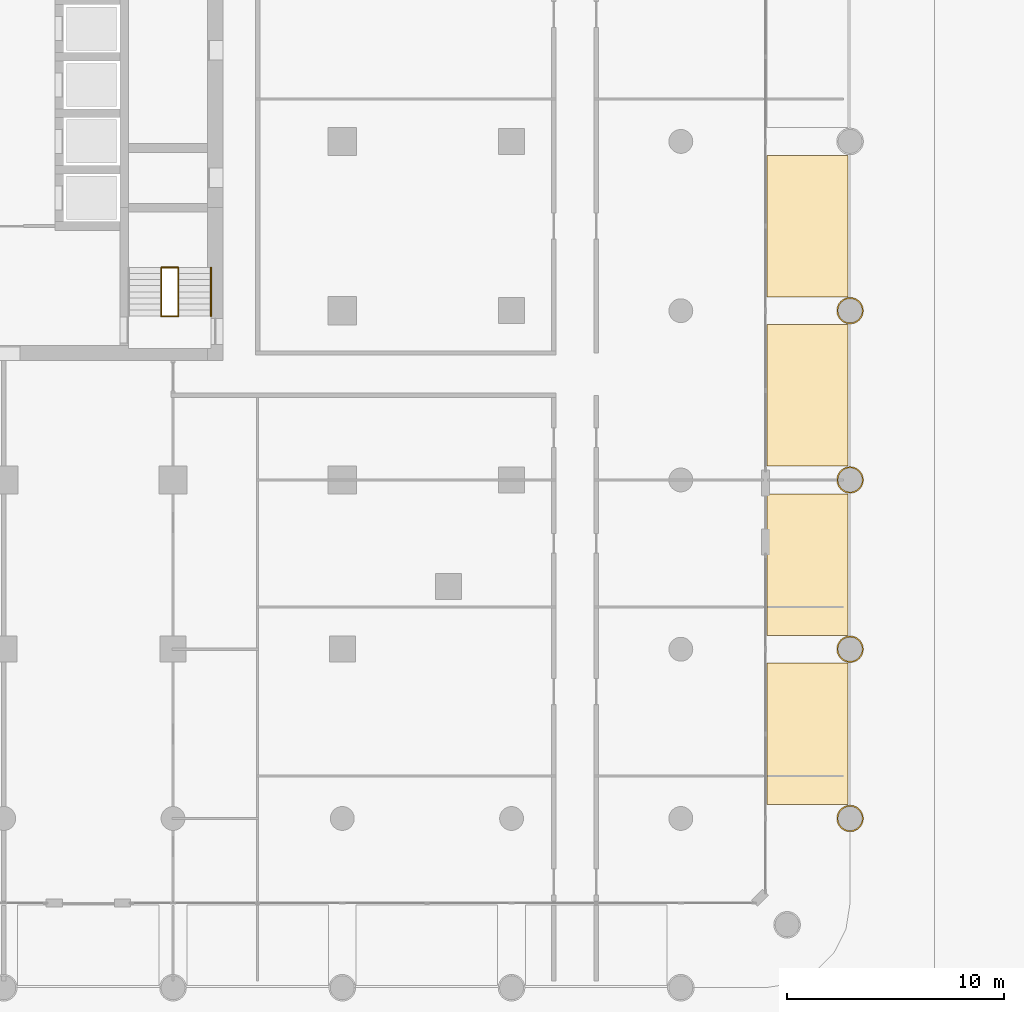
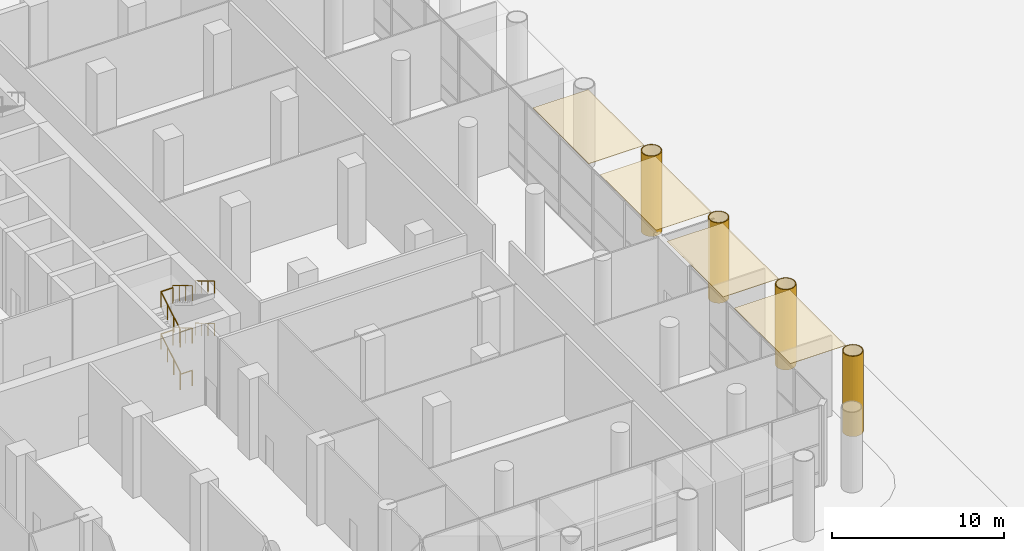
# One storey, part 27 of 32: 10 railings, 8 coverings, 1 element without a shape of its own.
"""IFC4 building model written with IfcOpenShell, lengths in metres."""

import ifcopenshell
import ifcopenshell.guid

model = None  # the IFC model being written
_history = None  # IfcOwnerHistory: only IFC2X3 demands one
_inside = {}  # id of a spatial element -> (the spatial element, [elements in it])
_under = {}  # id of a project, library or spatial element -> (it, [spatial elements below it])
_declared = {}  # id of a project -> (the project, [libraries it declares])
_typed = {}  # id of a type object -> (the type object, [elements of that type])
_made_of = {}  # id of a material, layer set ... -> (it, [elements and type objects made of it])


def new_model(schema):
    """Start an empty IFC model of exactly this schema.

    Asked for "IFC4X3", IfcOpenShell would pick the latest addendum, in which some entities
    have other attributes; the version numbers below select the first issue.
    IFC2X3 requires an IfcOwnerHistory on every rooted entity: one is made here for all.
    """
    global model, _history
    if schema == "IFC4X3":
        model = ifcopenshell.file(schema_version=(4, 3, 0, 0))
    else:
        model = ifcopenshell.file(schema=schema)
    _inside.clear()
    _under.clear()
    _declared.clear()
    _typed.clear()
    _made_of.clear()
    _history = None
    if model.schema == "IFC2X3":
        org = make("IfcOrganization", Name="unknown")
        user = make(
            "IfcPersonAndOrganization",
            ThePerson=make("IfcPerson", FamilyName="unknown"),
            TheOrganization=org,
        )
        app = make(
            "IfcApplication",
            ApplicationDeveloper=org,
            Version="unknown",
            ApplicationFullName="unknown",
            ApplicationIdentifier="unknown",
        )
        _history = make(
            "IfcOwnerHistory",
            OwningUser=user,
            OwningApplication=app,
            ChangeAction="ADDED",
            CreationDate=0,
        )
    return model


def make(cls, **values):
    """One entity of the class cls with the attributes given. An attribute that is None is left unset."""
    return model.create_entity(
        cls, **{name: value for name, value in values.items() if value is not None}
    )


def rooted(cls, **values):
    """An entity with a GlobalId (a new one), such as an element, a storey or a relation."""
    return make(cls, GlobalId=ifcopenshell.guid.new(), OwnerHistory=_history, **values)


def si_unit(unit_type, name, prefix=None):
    """IfcSIUnit, for example si_unit("LENGTHUNIT", "METRE", prefix="MILLI")."""
    return make("IfcSIUnit", UnitType=unit_type, Prefix=prefix, Name=name)


def assignment(units):
    """IfcUnitAssignment: the units of a project."""
    return None if units is None else make("IfcUnitAssignment", Units=units)


def point(xyz):
    """IfcCartesianPoint."""
    return None if xyz is None else make("IfcCartesianPoint", Coordinates=xyz)


def direction(xyz):
    """IfcDirection."""
    return None if xyz is None else make("IfcDirection", DirectionRatios=xyz)


def frame(location, z_axis=None, x_axis=None):
    """IfcAxis2Placement3D, a coordinate frame: its origin and axes. An axis left out is left unset."""
    return make(
        "IfcAxis2Placement3D",
        Location=point(location),
        Axis=direction(z_axis),
        RefDirection=direction(x_axis),
    )


def frame_2d(location, x_axis=None):
    """IfcAxis2Placement2D, a coordinate frame in the plane: its origin and x axis."""
    return make(
        "IfcAxis2Placement2D", Location=point(location), RefDirection=direction(x_axis)
    )


def origin():
    """The frame at (0, 0, 0) with its axes left unset."""
    return frame((0.0, 0.0, 0.0))


def origin_2d():
    """The frame at (0, 0) in the plane with its x axis left unset."""
    return frame_2d((0.0, 0.0))


def place(relative_to, where):
    """IfcLocalPlacement: puts the frame where relative to a parent placement (None: the world)."""
    return make(
        "IfcLocalPlacement", PlacementRelTo=relative_to, RelativePlacement=where
    )


def context(
    kind, dimensions, precision=None, world=None, true_north=None, identifier=None
):
    """IfcGeometricRepresentationContext, for example the 3D "Model" context."""
    return make(
        "IfcGeometricRepresentationContext",
        ContextIdentifier=identifier,
        ContextType=kind,
        CoordinateSpaceDimension=dimensions,
        Precision=precision,
        WorldCoordinateSystem=world,
        TrueNorth=true_north,
    )


def subcontext(parent, identifier, kind, view, scale=None):
    """IfcGeometricRepresentationSubContext, for example "Body" below "Model"."""
    return make(
        "IfcGeometricRepresentationSubContext",
        ContextIdentifier=identifier,
        ContextType=kind,
        ParentContext=parent,
        TargetScale=scale,
        TargetView=view,
    )


def project(units=None, contexts=None):
    """IfcProject with its units and contexts."""
    return rooted(
        "IfcProject",
        Name="project",
        RepresentationContexts=contexts,
        UnitsInContext=assignment(units),
    )


def spatial(cls, under=None, at=None, **own):
    """A site, building, storey or space (cls), placed at a placement, below another one or the project."""
    s = rooted(cls, ObjectPlacement=at, **own)
    if under is not None:
        _under.setdefault(under.id(), (under, []))[1].append(s)
    return s


def polyline(points):
    """IfcPolyline through the points."""
    return make("IfcPolyline", Points=[point(p) for p in points])


def profile(cls, at=None, kind="AREA", **sizes):
    """A parametric profile (cls). Its sizes go by their IFC names, for example OverallWidth=200.0."""
    return make(cls, ProfileType=kind, Position=at, **sizes)


def rectangle(**sizes):
    """IfcRectangleProfileDef."""
    return profile("IfcRectangleProfileDef", **sizes)


def circle(**sizes):
    """IfcCircleProfileDef."""
    return profile("IfcCircleProfileDef", **sizes)


def outline(outer, holes=None, kind="AREA"):
    """IfcArbitraryClosedProfileDef: a profile drawn as a closed curve; with holes, ...WithVoids."""
    if holes is None:
        return make("IfcArbitraryClosedProfileDef", ProfileType=kind, OuterCurve=outer)
    return make(
        "IfcArbitraryProfileDefWithVoids",
        ProfileType=kind,
        OuterCurve=outer,
        InnerCurves=holes,
    )


def extrude(swept, where, along, depth):
    """IfcExtrudedAreaSolid: the profile swept, set in the frame where, extruded along a direction by depth."""
    return make(
        "IfcExtrudedAreaSolid",
        SweptArea=swept,
        Position=where,
        ExtrudedDirection=direction(along),
        Depth=depth,
    )


def shape(context_of_items, identifier, shape_type, items):
    """IfcShapeRepresentation: the items that make up one representation, for example the "Body"."""
    return make(
        "IfcShapeRepresentation",
        ContextOfItems=context_of_items,
        RepresentationIdentifier=identifier,
        RepresentationType=shape_type,
        Items=items,
    )


def material(Name=None, Category=None):
    """IfcMaterial."""
    return make("IfcMaterial", Name=Name, Category=Category)


def layer(
    of_material, thickness, ventilated=None, Name=None, Category=None, Priority=None
):
    """IfcMaterialLayer: one layer of a wall or slab, of a material (None: an air gap)."""
    return make(
        "IfcMaterialLayer",
        Material=of_material,
        LayerThickness=thickness,
        IsVentilated=ventilated,
        Name=Name,
        Category=Category,
        Priority=Priority,
    )


def layer_set(layers, Name=None):
    """IfcMaterialLayerSet."""
    return make("IfcMaterialLayerSet", MaterialLayers=layers, LayerSetName=Name)


def made_of(thing, what):
    """Note that an element or type object is made of a material, layer set ...; save() writes the relation."""
    if what is not None:
        _made_of.setdefault(what.id(), (what, []))[1].append(thing)
    return thing


def type_object(cls, material=None, **own):
    """A type object (cls), such as IfcWallType, which elements share."""
    return made_of(rooted(cls, **own), material)


def element(
    cls,
    number,
    at=None,
    inside=None,
    cuts=None,
    type_object=None,
    material=None,
    context=None,
    identifier="Body",
    shape_type=None,
    held_by="IfcProductDefinitionShape",
    body=None,
    shapes=None,
    **own,
):
    """One element of the class cls, such as IfcWall. Its Tag is "e" and its number.

    at: its placement. inside: the storey or other place that contains it. cuts: it is an
    opening in that element (IfcRelVoidsElement). A single representation is given by context,
    identifier, shape_type and body (its items); several are given by shapes. held_by: the class
    of the entity that holds the representations. save() writes the other relations.
    """
    e = rooted(cls, Tag="e%d" % number, ObjectPlacement=at, **own)
    if body is not None:
        shapes = [shape(context, identifier, shape_type, body)]
    if shapes is not None:
        e.Representation = make(held_by, Representations=shapes)
    if inside is not None:
        _inside.setdefault(inside.id(), (inside, []))[1].append(e)
    if cuts is not None:
        rooted(
            "IfcRelVoidsElement", RelatingBuildingElement=cuts, RelatedOpeningElement=e
        )
    if type_object is not None:
        _typed.setdefault(type_object.id(), (type_object, []))[1].append(e)
    return made_of(e, material)


def aggregate(whole, parts):
    """IfcRelAggregates: a whole, such as a stair, and the parts it consists of."""
    return rooted("IfcRelAggregates", RelatingObject=whole, RelatedObjects=parts)


def save(model, path):
    """Write the relations noted so far, then the file.

    IfcRelAggregates (storeys below a building ...), IfcRelContainedInSpatialStructure (elements
    in a storey), IfcRelDefinesByType, IfcRelAssociatesMaterial and IfcRelDeclares: one each for
    every whole, place, type object, material and project.
    """
    for whole, parts in _under.values():
        aggregate(whole, parts)
    for where, things in _inside.values():
        rooted(
            "IfcRelContainedInSpatialStructure",
            RelatedElements=things,
            RelatingStructure=where,
        )
    for kind, things in _typed.values():
        rooted("IfcRelDefinesByType", RelatedObjects=things, RelatingType=kind)
    for what, things in _made_of.values():
        rooted("IfcRelAssociatesMaterial", RelatedObjects=things, RelatingMaterial=what)
    for by, libraries in _declared.values():
        rooted("IfcRelDeclares", RelatingContext=by, RelatedDefinitions=libraries)
    model.write(path)


model = new_model("IFC4")

# Units and contexts
model_context = context("Model", 3, precision=1e-05, world=origin(), true_north=direction((0.0, 1.0)))
body_context = subcontext(model_context, "Body", "Model", "MODEL_VIEW")
ifc_project = project(units=[si_unit("LENGTHUNIT", "METRE"), si_unit("AREAUNIT", "SQUARE_METRE"), si_unit("VOLUMEUNIT", "CUBIC_METRE"), si_unit("PLANEANGLEUNIT", "RADIAN"), si_unit("MASSUNIT", "GRAM", prefix="KILO")], contexts=[model_context])

# Site, building, storey
site_placement = place(None, origin())
site = spatial("IfcSite", under=ifc_project, at=site_placement, CompositionType="ELEMENT")
building_placement = place(site_placement, origin())
building = spatial("IfcBuilding", under=site, at=building_placement, Name="Ludao Terraces", CompositionType="ELEMENT")
storey_placement = place(building_placement, origin())
storey = spatial("IfcBuildingStorey", under=building, at=storey_placement, Name="L00", CompositionType="ELEMENT", Elevation=0.0)

# Coverings
ifc_material_1 = material(Name="Stone-effect cement board ceiling lining", Category="masonry")
ifc_layer_1 = layer(ifc_material_1, 0.030029296875)
ifc_layer_set_1 = layer_set([ifc_layer_1], Name="ENV Arcade ceiling lining 30")
covering_type_1 = type_object("IfcCoveringType", Name="ENV Arcade ceiling lining 30", PredefinedType="CEILING", material=ifc_layer_set_1)
for number, where, z_axis, x_axis, name in (
    (1, (122.0400390625, 37.699951171875, 5.669921875), (0.0, 0.0, 1.0), (1.0, 0.0, 0.0), "CL-L00-E1"),
    (2, (122.0400390625, 45.5, 5.669921875), (0.0, 0.0, 1.0), (1.0, 0.0, 0.0), "CL-L00-E2"),
    (3, (122.0400390625, 53.300048828125, 5.669921875), (0.0, 0.0, 1.0), (1.0, 0.0, 0.0), "CL-L00-E3"),
    (4, (122.0400390625, 61.10009765625, 5.669921875), (0.0, 0.0, 1.0), (1.0, 0.0, 0.0), "CL-L00-E4"),
):
    element("IfcCovering", number, at=place(storey_placement, frame(where, z_axis=z_axis, x_axis=x_axis)), inside=storey, type_object=covering_type_1, Name=name, PredefinedType="CEILING", context=body_context, shape_type="SweptSolid", body=[
        extrude(rectangle(XDim=3.719970703125, YDim=6.52001953125, at=origin_2d()), origin(), (0.0, 0.0, 1.0), 0.030029296875),
    ])
ifc_material_2 = material(Name="Granite cladding", Category="masonry")
ifc_layer_2 = layer(ifc_material_2, 0.06005859375)
ifc_layer_set_2 = layer_set([ifc_layer_2], Name="ENV Stone column casing 60")
covering_type_2 = type_object("IfcCoveringType", Name="ENV Stone column casing 60", PredefinedType="CLADDING", material=ifc_layer_set_2)
covering_1_placement = place(storey_placement, origin())
element("IfcCovering", 5, at=covering_1_placement, inside=storey, type_object=covering_type_2, Name="CC-L00-G0624x-078", PredefinedType="CLADDING", context=body_context, shape_type="SweptSolid", body=[
    extrude(outline(polyline([(124.61474609375, 33.800048828125), (124.59375, 33.959228515625), (124.532470703125, 34.107421875), (124.4345703125, 34.234619140625), (124.307373046875, 34.332275390625), (124.1591796875, 34.393798828125), (124.0, 34.414794921875), (123.8408203125, 34.393798828125), (123.692626953125, 34.332275390625), (123.5654296875, 34.234619140625), (123.467529296875, 34.107421875), (123.40625, 33.959228515625), (123.38525390625, 33.800048828125), (123.40625, 33.640869140625), (123.467529296875, 33.49267578125), (123.5654296875, 33.365234375), (123.692626953125, 33.267578125), (123.8408203125, 33.206298828125), (124.0, 33.185302734375), (124.1591796875, 33.206298828125), (124.307373046875, 33.267578125), (124.4345703125, 33.365234375), (124.532470703125, 33.49267578125), (124.59375, 33.640869140625), (124.61474609375, 33.800048828125)]), holes=[polyline([(124.535888671875, 33.656494140625), (124.48046875, 33.522705078125), (124.392333984375, 33.40771484375), (124.27734375, 33.319580078125), (124.1435546875, 33.26416015625), (124.0, 33.245361328125), (123.8564453125, 33.26416015625), (123.72265625, 33.319580078125), (123.607666015625, 33.40771484375), (123.51953125, 33.522705078125), (123.464111328125, 33.656494140625), (123.4453125, 33.800048828125), (123.464111328125, 33.943603515625), (123.51953125, 34.077392578125), (123.607666015625, 34.1923828125), (123.72265625, 34.280517578125), (123.8564453125, 34.3359375), (124.0, 34.354736328125), (124.1435546875, 34.3359375), (124.27734375, 34.280517578125), (124.392333984375, 34.1923828125), (124.48046875, 34.077392578125), (124.535888671875, 33.943603515625), (124.5546875, 33.800048828125), (124.535888671875, 33.656494140625)])]), origin(), (0.0, 0.0, 1.0), 5.699951171875),
])
covering_2_placement = place(storey_placement, origin())
element("IfcCovering", 6, at=covering_2_placement, inside=storey, type_object=covering_type_2, Name="CC-L00-G0624x0000", PredefinedType="CLADDING", context=body_context, shape_type="SweptSolid", body=[
    extrude(outline(polyline([(124.61474609375, 41.60009765625), (124.59375, 41.759033203125), (124.532470703125, 41.907470703125), (124.4345703125, 42.03466796875), (124.307373046875, 42.13232421875), (124.1591796875, 42.19384765625), (124.0, 42.21484375), (123.8408203125, 42.19384765625), (123.692626953125, 42.13232421875), (123.5654296875, 42.03466796875), (123.467529296875, 41.907470703125), (123.40625, 41.759033203125), (123.38525390625, 41.60009765625), (123.40625, 41.44091796875), (123.467529296875, 41.292724609375), (123.5654296875, 41.165283203125), (123.692626953125, 41.067626953125), (123.8408203125, 41.006103515625), (124.0, 40.9853515625), (124.1591796875, 41.006103515625), (124.307373046875, 41.067626953125), (124.4345703125, 41.165283203125), (124.532470703125, 41.292724609375), (124.59375, 41.44091796875), (124.61474609375, 41.60009765625)]), holes=[polyline([(124.535888671875, 41.45654296875), (124.48046875, 41.322509765625), (124.392333984375, 41.207763671875), (124.27734375, 41.11962890625), (124.1435546875, 41.064208984375), (124.0, 41.045166015625), (123.8564453125, 41.064208984375), (123.72265625, 41.11962890625), (123.607666015625, 41.207763671875), (123.51953125, 41.322509765625), (123.464111328125, 41.45654296875), (123.4453125, 41.60009765625), (123.464111328125, 41.74365234375), (123.51953125, 41.87744140625), (123.607666015625, 41.9921875), (123.72265625, 42.080322265625), (123.8564453125, 42.1357421875), (124.0, 42.15478515625), (124.1435546875, 42.1357421875), (124.27734375, 42.080322265625), (124.392333984375, 41.9921875), (124.48046875, 41.87744140625), (124.535888671875, 41.74365234375), (124.5546875, 41.60009765625), (124.535888671875, 41.45654296875)])]), origin(), (0.0, 0.0, 1.0), 5.699951171875),
])
covering_3_placement = place(storey_placement, origin())
element("IfcCovering", 7, at=covering_3_placement, inside=storey, type_object=covering_type_2, Name="CC-L00-G0624x0078", PredefinedType="CLADDING", context=body_context, shape_type="SweptSolid", body=[
    extrude(outline(polyline([(124.61474609375, 49.39990234375), (124.59375, 49.55908203125), (124.532470703125, 49.707275390625), (124.4345703125, 49.834716796875), (124.307373046875, 49.932373046875), (124.1591796875, 49.993896484375), (124.0, 50.0146484375), (123.8408203125, 49.993896484375), (123.692626953125, 49.932373046875), (123.5654296875, 49.834716796875), (123.467529296875, 49.707275390625), (123.40625, 49.55908203125), (123.38525390625, 49.39990234375), (123.40625, 49.240966796875), (123.467529296875, 49.092529296875), (123.5654296875, 48.96533203125), (123.692626953125, 48.86767578125), (123.8408203125, 48.80615234375), (124.0, 48.78515625), (124.1591796875, 48.80615234375), (124.307373046875, 48.86767578125), (124.4345703125, 48.96533203125), (124.532470703125, 49.092529296875), (124.59375, 49.240966796875), (124.61474609375, 49.39990234375)]), holes=[polyline([(124.535888671875, 49.25634765625), (124.48046875, 49.12255859375), (124.392333984375, 49.0078125), (124.27734375, 48.919677734375), (124.1435546875, 48.8642578125), (124.0, 48.84521484375), (123.8564453125, 48.8642578125), (123.72265625, 48.919677734375), (123.607666015625, 49.0078125), (123.51953125, 49.12255859375), (123.464111328125, 49.25634765625), (123.4453125, 49.39990234375), (123.464111328125, 49.54345703125), (123.51953125, 49.677490234375), (123.607666015625, 49.792236328125), (123.72265625, 49.88037109375), (123.8564453125, 49.935791015625), (124.0, 49.954833984375), (124.1435546875, 49.935791015625), (124.27734375, 49.88037109375), (124.392333984375, 49.792236328125), (124.48046875, 49.677490234375), (124.535888671875, 49.54345703125), (124.5546875, 49.39990234375), (124.535888671875, 49.25634765625)])]), origin(), (0.0, 0.0, 1.0), 5.699951171875),
])
covering_4_placement = place(storey_placement, origin())
element("IfcCovering", 8, at=covering_4_placement, inside=storey, type_object=covering_type_2, Name="CC-L00-G0624x0156", PredefinedType="CLADDING", context=body_context, shape_type="SweptSolid", body=[
    extrude(outline(polyline([(124.61474609375, 57.199951171875), (124.59375, 57.359130859375), (124.532470703125, 57.50732421875), (124.4345703125, 57.634765625), (124.307373046875, 57.732421875), (124.1591796875, 57.793701171875), (124.0, 57.814697265625), (123.8408203125, 57.793701171875), (123.692626953125, 57.732421875), (123.5654296875, 57.634765625), (123.467529296875, 57.50732421875), (123.40625, 57.359130859375), (123.38525390625, 57.199951171875), (123.40625, 57.040771484375), (123.467529296875, 56.892578125), (123.5654296875, 56.765380859375), (123.692626953125, 56.667724609375), (123.8408203125, 56.606201171875), (124.0, 56.585205078125), (124.1591796875, 56.606201171875), (124.307373046875, 56.667724609375), (124.4345703125, 56.765380859375), (124.532470703125, 56.892578125), (124.59375, 57.040771484375), (124.61474609375, 57.199951171875)]), holes=[polyline([(124.535888671875, 57.056396484375), (124.48046875, 56.922607421875), (124.392333984375, 56.8076171875), (124.27734375, 56.719482421875), (124.1435546875, 56.6640625), (124.0, 56.645263671875), (123.8564453125, 56.6640625), (123.72265625, 56.719482421875), (123.607666015625, 56.8076171875), (123.51953125, 56.922607421875), (123.464111328125, 57.056396484375), (123.4453125, 57.199951171875), (123.464111328125, 57.343505859375), (123.51953125, 57.477294921875), (123.607666015625, 57.59228515625), (123.72265625, 57.680419921875), (123.8564453125, 57.73583984375), (124.0, 57.754638671875), (124.1435546875, 57.73583984375), (124.27734375, 57.680419921875), (124.392333984375, 57.59228515625), (124.48046875, 57.477294921875), (124.535888671875, 57.343505859375), (124.5546875, 57.199951171875), (124.535888671875, 57.056396484375)])]), origin(), (0.0, 0.0, 1.0), 5.699951171875),
])

# Stair, railings
ifc_material_3 = material(Name="Concrete C40", Category="concrete")
stair_type = type_object("IfcStairType", Name="INT Stair", PredefinedType="HALF_TURN_STAIR", material=ifc_material_3)
stair_placement = place(storey_placement, origin())
stair = element("IfcStair", 9, at=stair_placement, inside=storey, type_object=stair_type, Name="EXIT STAIR 3", PredefinedType="HALF_TURN_STAIR")
ifc_material_4 = material(Name="Stainless steel 304", Category="steel")
railing_type_1 = type_object("IfcRailingType", Name="INT Stair guard 1100", PredefinedType="GUARDRAIL", material=ifc_material_4)
railing_1_placement = place(storey_placement, frame((92.25, 56.949951171875, 0.166748046875)))
railing_1 = element("IfcRailing", 10, at=railing_1_placement, type_object=railing_type_1, Name="ST-L00-S3-R1G", PredefinedType="GUARDRAIL", context=body_context, shape_type="SweptSolid", body=[
    extrude(circle(Radius=0.02392578125, at=origin_2d()), frame((0.0, 0.0, 1.076171875), z_axis=(0.0, 0.859305625298, 0.511462454469), x_axis=(-1.0, 0.0, 0.0)), (0.0, 0.0, 1.0), 2.606689453125),
    extrude(circle(Radius=0.02099609375, at=origin_2d()), origin(), (0.0, 0.0, 1.0), 1.052001953125),
    extrude(circle(Radius=0.02099609375, at=origin_2d()), frame((0.0, 0.74658203125, 0.4443359375)), (0.0, 0.0, 1.0), 1.052001953125),
    extrude(circle(Radius=0.02099609375, at=origin_2d()), frame((0.0, 1.493408203125, 0.888916015625)), (0.0, 0.0, 1.0), 1.052001953125),
    extrude(circle(Radius=0.02099609375, at=origin_2d()), frame((0.0, 2.239990234375, 1.333251953125)), (0.0, 0.0, 1.0), 1.052001953125),
])
railing_2_placement = place(storey_placement, frame((93.050048828125, 59.18994140625, 1.666748046875)))
railing_2 = element("IfcRailing", 11, at=railing_2_placement, type_object=railing_type_1, Name="ST-L00-S3-R2G", PredefinedType="GUARDRAIL", context=body_context, shape_type="SweptSolid", body=[
    extrude(circle(Radius=0.02392578125, at=origin_2d()), frame((0.0, 0.0, 1.076171875), z_axis=(0.0, -0.859305625298, 0.511462454469), x_axis=(1.0, 0.0, 0.0)), (0.0, 0.0, 1.0), 2.606689453125),
    extrude(circle(Radius=0.02099609375, at=origin_2d()), origin(), (0.0, 0.0, 1.0), 1.052001953125),
    extrude(circle(Radius=0.02099609375, at=origin_2d()), frame((0.0, -0.74658203125, 0.4443359375)), (0.0, 0.0, 1.0), 1.052001953125),
    extrude(circle(Radius=0.02099609375, at=origin_2d()), frame((0.0, -1.493408203125, 0.888916015625)), (0.0, 0.0, 1.0), 1.052001953125),
    extrude(circle(Radius=0.02099609375, at=origin_2d()), frame((0.0, -2.239990234375, 1.333251953125)), (0.0, 0.0, 1.0), 1.052001953125),
])
railing_3_placement = place(storey_placement, frame((92.25, 56.949951171875, 3.166748046875)))
railing_3 = element("IfcRailing", 12, at=railing_3_placement, type_object=railing_type_1, Name="ST-L00-S3-R3G", PredefinedType="GUARDRAIL", context=body_context, shape_type="SweptSolid", body=[
    extrude(circle(Radius=0.02392578125, at=origin_2d()), frame((0.0, 0.0, 1.076171875), z_axis=(0.0, 0.859305625298, 0.511462454469), x_axis=(-1.0, 0.0, 0.0)), (0.0, 0.0, 1.0), 2.606689453125),
    extrude(circle(Radius=0.02099609375, at=origin_2d()), origin(), (0.0, 0.0, 1.0), 1.052001953125),
    extrude(circle(Radius=0.02099609375, at=origin_2d()), frame((0.0, 0.74658203125, 0.4443359375)), (0.0, 0.0, 1.0), 1.052001953125),
    extrude(circle(Radius=0.02099609375, at=origin_2d()), frame((0.0, 1.493408203125, 0.888916015625)), (0.0, 0.0, 1.0), 1.052001953125),
    extrude(circle(Radius=0.02099609375, at=origin_2d()), frame((0.0, 2.239990234375, 1.333251953125)), (0.0, 0.0, 1.0), 1.052001953125),
])
railing_4_placement = place(storey_placement, frame((93.050048828125, 59.18994140625, 4.666748046875)))
railing_4 = element("IfcRailing", 13, at=railing_4_placement, type_object=railing_type_1, Name="ST-L00-S3-R4G", PredefinedType="GUARDRAIL", context=body_context, shape_type="SweptSolid", body=[
    extrude(circle(Radius=0.02392578125, at=origin_2d()), frame((0.0, 0.0, 1.076171875), z_axis=(0.0, -0.859305625298, 0.511462454469), x_axis=(1.0, 0.0, 0.0)), (0.0, 0.0, 1.0), 2.606689453125),
    extrude(circle(Radius=0.02099609375, at=origin_2d()), origin(), (0.0, 0.0, 1.0), 1.052001953125),
    extrude(circle(Radius=0.02099609375, at=origin_2d()), frame((0.0, -0.74658203125, 0.4443359375)), (0.0, 0.0, 1.0), 1.052001953125),
    extrude(circle(Radius=0.02099609375, at=origin_2d()), frame((0.0, -1.493408203125, 0.888916015625)), (0.0, 0.0, 1.0), 1.052001953125),
    extrude(circle(Radius=0.02099609375, at=origin_2d()), frame((0.0, -2.239990234375, 1.333251953125)), (0.0, 0.0, 1.0), 1.052001953125),
])
railing_5_placement = place(storey_placement, frame((92.25, 59.18994140625, 1.5)))
railing_5 = element("IfcRailing", 14, at=railing_5_placement, type_object=railing_type_1, Name="ST-L00-S3-E1G", PredefinedType="GUARDRAIL", context=body_context, shape_type="SweptSolid", body=[
    extrude(circle(Radius=0.02392578125, at=origin_2d()), frame((0.0, 0.0, 1.076171875), z_axis=(1.0, 0.0, 0.0), x_axis=(0.0, 1.0, 0.0)), (0.0, 0.0, 1.0), 0.800048828125),
    extrude(circle(Radius=0.02099609375, at=origin_2d()), origin(), (0.0, 0.0, 1.0), 1.052001953125),
    extrude(circle(Radius=0.02099609375, at=origin_2d()), frame((0.800048828125, 0.0, 0.0)), (0.0, 0.0, 1.0), 1.052001953125),
])
railing_6_placement = place(storey_placement, frame((92.25, 56.949951171875, 3.0)))
railing_6 = element("IfcRailing", 15, at=railing_6_placement, type_object=railing_type_1, Name="ST-L00-S3-E2G", PredefinedType="GUARDRAIL", context=body_context, shape_type="SweptSolid", body=[
    extrude(circle(Radius=0.02392578125, at=origin_2d()), frame((0.0, 0.0, 1.076171875), z_axis=(1.0, 0.0, 0.0), x_axis=(0.0, 1.0, 0.0)), (0.0, 0.0, 1.0), 0.800048828125),
    extrude(circle(Radius=0.02099609375, at=origin_2d()), origin(), (0.0, 0.0, 1.0), 1.052001953125),
    extrude(circle(Radius=0.02099609375, at=origin_2d()), frame((0.800048828125, 0.0, 0.0)), (0.0, 0.0, 1.0), 1.052001953125),
])
railing_7_placement = place(storey_placement, frame((92.25, 59.18994140625, 4.5)))
railing_7 = element("IfcRailing", 16, at=railing_7_placement, type_object=railing_type_1, Name="ST-L00-S3-E3G", PredefinedType="GUARDRAIL", context=body_context, shape_type="SweptSolid", body=[
    extrude(circle(Radius=0.02392578125, at=origin_2d()), frame((0.0, 0.0, 1.076171875), z_axis=(1.0, 0.0, 0.0), x_axis=(0.0, 1.0, 0.0)), (0.0, 0.0, 1.0), 0.800048828125),
    extrude(circle(Radius=0.02099609375, at=origin_2d()), origin(), (0.0, 0.0, 1.0), 1.052001953125),
    extrude(circle(Radius=0.02099609375, at=origin_2d()), frame((0.800048828125, 0.0, 0.0)), (0.0, 0.0, 1.0), 1.052001953125),
])
railing_8_placement = place(storey_placement, frame((92.25, 56.949951171875, 0.0)))
railing_8 = element("IfcRailing", 17, at=railing_8_placement, type_object=railing_type_1, Name="ST-L00-S3-E4G", PredefinedType="GUARDRAIL", context=body_context, shape_type="SweptSolid", body=[
    extrude(circle(Radius=0.02392578125, at=origin_2d()), frame((0.0, 0.0, 1.076171875), z_axis=(1.0, 0.0, 0.0), x_axis=(0.0, 1.0, 0.0)), (0.0, 0.0, 1.0), 0.800048828125),
    extrude(circle(Radius=0.02099609375, at=origin_2d()), origin(), (0.0, 0.0, 1.0), 1.052001953125),
    extrude(circle(Radius=0.02099609375, at=origin_2d()), frame((0.800048828125, 0.0, 0.0)), (0.0, 0.0, 1.0), 1.052001953125),
])
railing_type_2 = type_object("IfcRailingType", Name="INT Stair handrail 900", PredefinedType="HANDRAIL", material=ifc_material_4)
railing_9_placement = place(storey_placement, frame((94.550048828125, 59.18994140625, 1.666748046875)))
railing_9 = element("IfcRailing", 18, at=railing_9_placement, type_object=railing_type_2, Name="ST-L00-S3-R2H", PredefinedType="HANDRAIL", context=body_context, shape_type="SweptSolid", body=[
    extrude(circle(Radius=0.02392578125, at=origin_2d()), frame((0.0, 0.0, 0.8759765625), z_axis=(0.0, -0.859305625298, 0.511462454469), x_axis=(1.0, 0.0, 0.0)), (0.0, 0.0, 1.0), 2.606689453125),
    extrude(circle(Radius=0.02099609375, at=origin_2d()), origin(), (0.0, 0.0, 1.0), 0.851806640625),
    extrude(circle(Radius=0.02099609375, at=origin_2d()), frame((0.0, -0.74658203125, 0.4443359375)), (0.0, 0.0, 1.0), 0.851806640625),
    extrude(circle(Radius=0.02099609375, at=origin_2d()), frame((0.0, -1.493408203125, 0.888916015625)), (0.0, 0.0, 1.0), 0.851806640625),
    extrude(circle(Radius=0.02099609375, at=origin_2d()), frame((0.0, -2.239990234375, 1.333251953125)), (0.0, 0.0, 1.0), 0.851806640625),
])
railing_10_placement = place(storey_placement, frame((94.550048828125, 59.18994140625, 4.666748046875)))
railing_10 = element("IfcRailing", 19, at=railing_10_placement, type_object=railing_type_2, Name="ST-L00-S3-R4H", PredefinedType="HANDRAIL", context=body_context, shape_type="SweptSolid", body=[
    extrude(circle(Radius=0.02392578125, at=origin_2d()), frame((0.0, 0.0, 0.8759765625), z_axis=(0.0, -0.859305625298, 0.511462454469), x_axis=(1.0, 0.0, 0.0)), (0.0, 0.0, 1.0), 2.606689453125),
    extrude(circle(Radius=0.02099609375, at=origin_2d()), origin(), (0.0, 0.0, 1.0), 0.851806640625),
    extrude(circle(Radius=0.02099609375, at=origin_2d()), frame((0.0, -0.74658203125, 0.4443359375)), (0.0, 0.0, 1.0), 0.851806640625),
    extrude(circle(Radius=0.02099609375, at=origin_2d()), frame((0.0, -1.493408203125, 0.888916015625)), (0.0, 0.0, 1.0), 0.851806640625),
    extrude(circle(Radius=0.02099609375, at=origin_2d()), frame((0.0, -2.239990234375, 1.333251953125)), (0.0, 0.0, 1.0), 0.851806640625),
])
aggregate(stair, [railing_1, railing_2, railing_9, railing_3, railing_4, railing_10, railing_5, railing_6, railing_7, railing_8])

save(model, "model.ifc")
